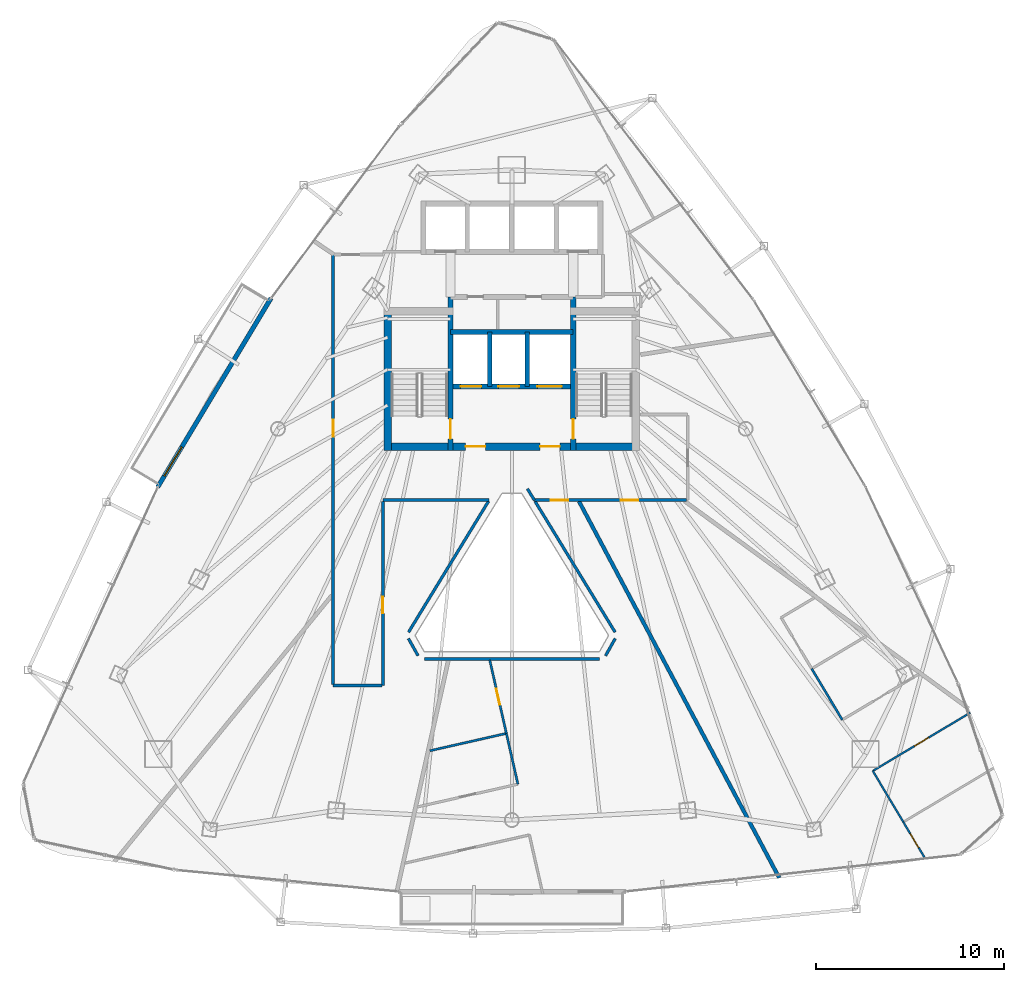
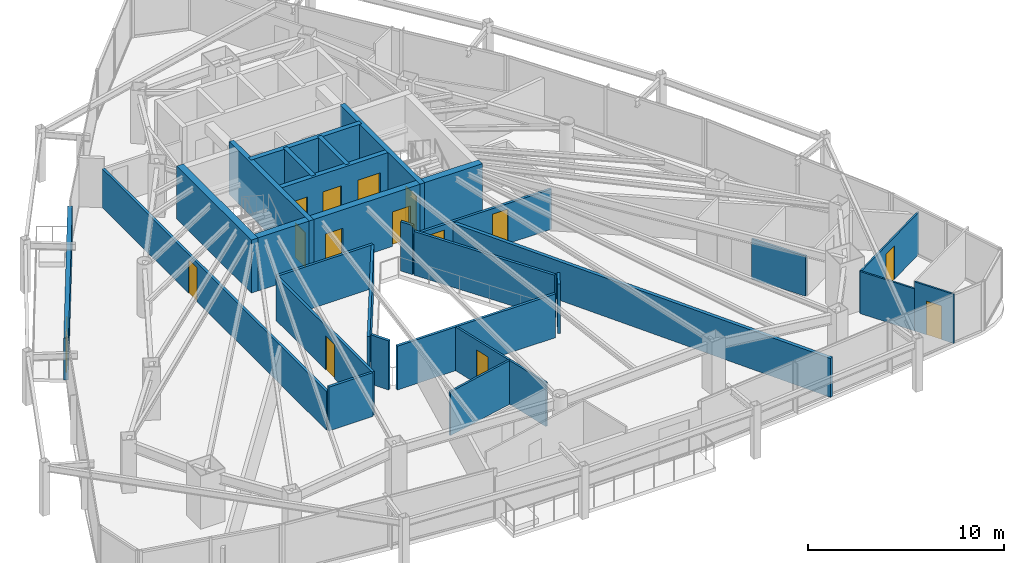
# One storey, part 28 of 33: 28 walls, 15 doors, 15 openings.
"""IFC4 building model written with IfcOpenShell, lengths in metres."""

from ifc_helpers import new_model, si_unit, direction, frame, frame_2d, origin, place, context, subcontext, project, spatial, rectangle, extrude, material, layer, layer_set, type_object, element, fill, save


model = new_model("IFC4")

# Units and contexts
model_context = context("Model", 3, precision=1e-05, world=origin(), true_north=direction((0.0, 1.0)))
body_context = subcontext(model_context, "Body", "Model", "MODEL_VIEW")
ifc_project = project(units=[si_unit("LENGTHUNIT", "METRE"), si_unit("AREAUNIT", "SQUARE_METRE"), si_unit("VOLUMEUNIT", "CUBIC_METRE"), si_unit("PLANEANGLEUNIT", "RADIAN"), si_unit("MASSUNIT", "GRAM", prefix="KILO")], contexts=[model_context])

# Site, building, storey
site_placement = place(None, origin())
site = spatial("IfcSite", under=ifc_project, at=site_placement, CompositionType="ELEMENT")
building_placement = place(site_placement, origin())
building = spatial("IfcBuilding", under=site, at=building_placement, Name="Orvanel Arch Residences", CompositionType="ELEMENT")
storey_placement = place(building_placement, frame((0.0, 0.0, 119.89990234375)))
storey = spatial("IfcBuildingStorey", under=building, at=storey_placement, Name="L33", CompositionType="ELEMENT", Elevation=119.89990234375)

# Wall, opening, door
ifc_material_1 = material(Name="Precast concrete N50 (50 MPa)", Category="concrete")
ifc_layer_1 = layer(ifc_material_1, 0.239990234375)
ifc_layer_set_1 = layer_set([ifc_layer_1], Name="Precast concrete N50 (50 MPa)")
wall_type_1 = type_object("IfcWallType", Name="EW-BAL-240", PredefinedType="SOLIDWALL", material=ifc_layer_set_1)
wall_1_placement = place(storey_placement, frame((20.199951171875, 34.5859375, 0.0), z_axis=(0.0, 0.0, 1.0), x_axis=(-0.514379309275, -0.857562782652, 0.0)))
wall_1 = element("IfcWall", 1, at=wall_1_placement, inside=storey, type_object=wall_type_1, Name="L33 Balcony Threshold Wall Face 1", PredefinedType="SOLIDWALL", context=body_context, shape_type="SweptSolid", body=[
    extrude(rectangle(XDim=11.716796875, YDim=0.239990234375, at=frame_2d((5.8583984375, 0.0))), origin(), (0.0, 0.0, 1.0), 2.6240234375),
])
opening_1_placement = place(wall_1_placement, frame((9.219970703125, 0.0, 0.0)))
opening_1 = element("IfcOpeningElement", 2, at=opening_1_placement, cuts=wall_1, Name="Opening DB-180", PredefinedType="OPENING", context=body_context, shape_type="SweptSolid", body=[
    extrude(rectangle(XDim=1.800048828125, YDim=2.199951171875, at=frame_2d((0.89990234375, 1.10009765625))), frame((0.0, 0.1298828125, 0.0), z_axis=(0.0, -1.0, 0.0), x_axis=(1.0, 0.0, 0.0)), (0.0, 0.0, 1.0), 0.260009765625),
])
ifc_material_2 = material(Name="Bronze-anodised aluminium AA6063-T6", Category="aluminium")
door_type_1 = type_object("IfcDoorType", Name="DR-BAL-1800", OperationType="NOTDEFINED", PredefinedType="DOOR", material=ifc_material_2)
door_1_placement = place(opening_1_placement, origin())
door_1 = element("IfcDoor", 3, at=door_1_placement, inside=storey, type_object=door_type_1, Name="DR-L33-BAL-F1 L33 Planted Balcony Access Door Face 1", OperationType="SINGLE_SWING_RIGHT", OverallHeight=2.199951171875, OverallWidth=1.800048828125, PredefinedType="DOOR", context=body_context, shape_type="SweptSolid", body=[
    extrude(rectangle(XDim=1.800048828125, YDim=2.199951171875, at=frame_2d((0.89990234375, 1.10009765625))), frame((0.0, 0.02490234375, 0.0), z_axis=(0.0, -1.0, 0.0), x_axis=(1.0, 0.0, 0.0)), (0.0, 0.0, 1.0), 0.050048828125),
])
fill(opening_1, door_1)

# Walls
ifc_material_3 = material(Name="Concrete N50 (50 MPa)", Category="concrete")
ifc_layer_2 = layer(ifc_material_3, 0.25)
ifc_layer_set_2 = layer_set([ifc_layer_2], Name="Concrete N50 (50 MPa)")
wall_type_2 = type_object("IfcWallType", Name="SW-CORE-250", PredefinedType="SHEAR", material=ifc_layer_set_2)
for number, where, z_axis, x_axis, name in (
    (4, (31.824951171875, 29.889892578125, 0.0), (0.0, 0.0, 1.0), (0.0, 1.0, 0.0), "L33 Emergency Lift Inter-Shaft Wall F12"),
    (5, (33.824951171875, 29.889892578125, 0.0), (0.0, 0.0, 1.0), (0.0, 1.0, 0.0), "L33 Emergency Lift Inter-Shaft Wall F2G"),
):
    element("IfcWall", number, at=place(storey_placement, frame(where, z_axis=z_axis, x_axis=x_axis)), inside=storey, type_object=wall_type_2, Name=name, PredefinedType="SHEAR", context=body_context, shape_type="SweptSolid", body=[
        extrude(rectangle(XDim=2.900146484375, YDim=0.25, at=frame_2d((1.4501953125, 0.0))), origin(), (0.0, 0.0, 1.0), 3.300048828125),
    ])

# Wall, opening, door
ifc_material_4 = material(Name="Concrete S65 (65 MPa)", Category="concrete")
ifc_layer_3 = layer(ifc_material_4, 0.280029296875)
ifc_layer_set_3 = layer_set([ifc_layer_3], Name="Concrete S65 (65 MPa)")
wall_type_3 = type_object("IfcWallType", Name="SW-CORE-280", PredefinedType="SHEAR", material=ifc_layer_set_3)
wall_2_placement = place(storey_placement, frame((29.739990234375, 26.5, 0.0), z_axis=(0.0, 0.0, 1.0), x_axis=(0.0, 1.0, 0.0)))
wall_2 = element("IfcWall", 6, at=wall_2_placement, inside=storey, type_object=wall_type_3, Name="L33 West Inner Core Spine Shear Wall", PredefinedType="SHEAR", context=body_context, shape_type="SweptSolid", body=[
    extrude(rectangle(XDim=8.14990234375, YDim=0.280029296875, at=frame_2d((4.074951171875, 0.0))), origin(), (0.0, 0.0, 1.0), 3.300048828125),
])
opening_2_placement = place(wall_2_placement, frame((0.60009765625, 0.0, 0.0)))
opening_2 = element("IfcOpeningElement", 7, at=opening_2_placement, cuts=wall_2, Name="Opening DF-120", PredefinedType="OPENING", context=body_context, shape_type="SweptSolid", body=[
    extrude(rectangle(XDim=1.050048828125, YDim=2.14990234375, at=frame_2d((0.52490234375, 1.074951171875))), frame((0.0, 0.14990234375, 0.0), z_axis=(0.0, -1.0, 0.0), x_axis=(1.0, 0.0, 0.0)), (0.0, 0.0, 1.0), 0.300048828125),
])
ifc_material_5 = material(Name="Galvanised steel fire-resisting door assembly", Category="steel")
door_type_2 = type_object("IfcDoorType", Name="DR-FD120-1050", OperationType="NOTDEFINED", PredefinedType="DOOR", material=ifc_material_5)
door_2_placement = place(opening_2_placement, origin())
door_2 = element("IfcDoor", 8, at=door_2_placement, inside=storey, type_object=door_type_2, Name="DR-L33-ST1 L33 Stair 1 Fire Door", OperationType="SINGLE_SWING_LEFT", OverallHeight=2.14990234375, OverallWidth=1.050048828125, PredefinedType="DOOR", context=body_context, shape_type="SweptSolid", body=[
    extrude(rectangle(XDim=1.050048828125, YDim=2.14990234375, at=frame_2d((0.52490234375, 1.074951171875))), frame((0.0, 0.02490234375, 0.0), z_axis=(0.0, -1.0, 0.0), x_axis=(1.0, 0.0, 0.0)), (0.0, 0.0, 1.0), 0.050048828125),
])
fill(opening_2, door_2)

wall_3_placement = place(storey_placement, frame((36.260009765625, 26.5, 0.0), z_axis=(0.0, 0.0, 1.0), x_axis=(0.0, 1.0, 0.0)))
wall_3 = element("IfcWall", 9, at=wall_3_placement, inside=storey, type_object=wall_type_3, Name="L33 East Inner Core Spine Shear Wall", PredefinedType="SHEAR", context=body_context, shape_type="SweptSolid", body=[
    extrude(rectangle(XDim=8.14990234375, YDim=0.280029296875, at=frame_2d((4.074951171875, 0.0))), origin(), (0.0, 0.0, 1.0), 3.300048828125),
])
opening_3_placement = place(wall_3_placement, frame((0.60009765625, 0.0, 0.0)))
opening_3 = element("IfcOpeningElement", 10, at=opening_3_placement, cuts=wall_3, Name="Opening DF-120", PredefinedType="OPENING", context=body_context, shape_type="SweptSolid", body=[
    extrude(rectangle(XDim=1.050048828125, YDim=2.14990234375, at=frame_2d((0.52490234375, 1.074951171875))), frame((0.0, 0.14990234375, 0.0), z_axis=(0.0, -1.0, 0.0), x_axis=(1.0, 0.0, 0.0)), (0.0, 0.0, 1.0), 0.300048828125),
])
door_3_placement = place(opening_3_placement, origin())
door_3 = element("IfcDoor", 11, at=door_3_placement, inside=storey, type_object=door_type_2, Name="DR-L33-ST2 L33 Stair 2 Fire Door", OperationType="SINGLE_SWING_RIGHT", OverallHeight=2.14990234375, OverallWidth=1.050048828125, PredefinedType="DOOR", context=body_context, shape_type="SweptSolid", body=[
    extrude(rectangle(XDim=1.050048828125, YDim=2.14990234375, at=frame_2d((0.52490234375, 1.074951171875))), frame((0.0, 0.02490234375, 0.0), z_axis=(0.0, -1.0, 0.0), x_axis=(1.0, 0.0, 0.0)), (0.0, 0.0, 1.0), 0.050048828125),
])
fill(opening_3, door_3)

# Wall, openings, doors
wall_4_placement = place(storey_placement, frame((36.260009765625, 29.889892578125, 0.0), z_axis=(0.0, 0.0, 1.0), x_axis=(-1.0, 0.0, 0.0)))
wall_4 = element("IfcWall", 12, at=wall_4_placement, inside=storey, type_object=wall_type_3, Name="L33 Emergency Lift Front Core Shear Wall", PredefinedType="SHEAR", context=body_context, shape_type="SweptSolid", body=[
    extrude(rectangle(XDim=6.52001953125, YDim=0.280029296875, at=frame_2d((3.260009765625, 0.0))), origin(), (0.0, 0.0, 1.0), 3.300048828125),
])
opening_4_placement = place(wall_4_placement, frame((4.875, 0.0, 0.0)))
opening_4 = element("IfcOpeningElement", 13, at=opening_4_placement, cuts=wall_4, Name="Opening LD-110", PredefinedType="OPENING", context=body_context, shape_type="SweptSolid", body=[
    extrude(rectangle(XDim=1.10009765625, YDim=2.199951171875, at=frame_2d((0.550048828125, 1.10009765625))), frame((0.0, 0.14990234375, 0.0), z_axis=(0.0, -1.0, 0.0), x_axis=(1.0, 0.0, 0.0)), (0.0, 0.0, 1.0), 0.300048828125),
])
opening_5_placement = place(wall_4_placement, frame((2.875, 0.0, 0.0)))
opening_5 = element("IfcOpeningElement", 14, at=opening_5_placement, cuts=wall_4, Name="Opening LD-110", PredefinedType="OPENING", context=body_context, shape_type="SweptSolid", body=[
    extrude(rectangle(XDim=1.10009765625, YDim=2.199951171875, at=frame_2d((0.550048828125, 1.10009765625))), frame((0.0, 0.14990234375, 0.0), z_axis=(0.0, -1.0, 0.0), x_axis=(1.0, 0.0, 0.0)), (0.0, 0.0, 1.0), 0.300048828125),
])
opening_6_placement = place(wall_4_placement, frame((0.60009765625, 0.0, 0.0)))
opening_6 = element("IfcOpeningElement", 15, at=opening_6_placement, cuts=wall_4, Name="Opening LD-130", PredefinedType="OPENING", context=body_context, shape_type="SweptSolid", body=[
    extrude(rectangle(XDim=1.300048828125, YDim=2.199951171875, at=frame_2d((0.64990234375, 1.10009765625))), frame((0.0, 0.14990234375, 0.0), z_axis=(0.0, -1.0, 0.0), x_axis=(1.0, 0.0, 0.0)), (0.0, 0.0, 1.0), 0.300048828125),
])
door_type_3 = type_object("IfcDoorType", Name="DR-LFT-1100", OperationType="NOTDEFINED", PredefinedType="DOOR", material=ifc_material_5)
door_4_placement = place(opening_4_placement, origin())
door_4 = element("IfcDoor", 16, at=door_4_placement, inside=storey, type_object=door_type_3, Name="LD-F1-L33 L33 Lift F1 Sliding Landing Door", OperationType="DOUBLE_DOOR_SLIDING", OverallHeight=2.199951171875, OverallWidth=1.10009765625, PredefinedType="DOOR", context=body_context, shape_type="SweptSolid", body=[
    extrude(rectangle(XDim=1.10009765625, YDim=2.199951171875, at=frame_2d((0.550048828125, 1.10009765625))), frame((0.0, 0.02490234375, 0.0), z_axis=(0.0, -1.0, 0.0), x_axis=(1.0, 0.0, 0.0)), (0.0, 0.0, 1.0), 0.050048828125),
])
fill(opening_4, door_4)
door_5_placement = place(opening_5_placement, origin())
door_5 = element("IfcDoor", 17, at=door_5_placement, inside=storey, type_object=door_type_3, Name="LD-F2-L33 L33 Lift F2 Sliding Landing Door", OperationType="DOUBLE_DOOR_SLIDING", OverallHeight=2.199951171875, OverallWidth=1.10009765625, PredefinedType="DOOR", context=body_context, shape_type="SweptSolid", body=[
    extrude(rectangle(XDim=1.10009765625, YDim=2.199951171875, at=frame_2d((0.550048828125, 1.10009765625))), frame((0.0, 0.02490234375, 0.0), z_axis=(0.0, -1.0, 0.0), x_axis=(1.0, 0.0, 0.0)), (0.0, 0.0, 1.0), 0.050048828125),
])
fill(opening_5, door_5)
door_type_4 = type_object("IfcDoorType", Name="DR-LFT-1300", OperationType="NOTDEFINED", PredefinedType="DOOR", material=ifc_material_5)
door_6_placement = place(opening_6_placement, origin())
door_6 = element("IfcDoor", 18, at=door_6_placement, inside=storey, type_object=door_type_4, Name="LD-G1-L33 L33 Lift G1 Sliding Landing Door", OperationType="DOUBLE_DOOR_SLIDING", OverallHeight=2.199951171875, OverallWidth=1.300048828125, PredefinedType="DOOR", context=body_context, shape_type="SweptSolid", body=[
    extrude(rectangle(XDim=1.300048828125, YDim=2.199951171875, at=frame_2d((0.64990234375, 1.10009765625))), frame((0.0, 0.02490234375, 0.0), z_axis=(0.0, -1.0, 0.0), x_axis=(1.0, 0.0, 0.0)), (0.0, 0.0, 1.0), 0.050048828125),
])
fill(opening_6, door_6)

# Wall
wall_5_placement = place(storey_placement, frame((29.739990234375, 32.7900390625, 0.0), z_axis=(0.0, 0.0, 1.0), x_axis=(1.0, 0.0, 0.0)))
element("IfcWall", 19, at=wall_5_placement, inside=storey, type_object=wall_type_3, Name="L33 Emergency Lift Back Core Shear Wall", PredefinedType="SHEAR", context=body_context, shape_type="SweptSolid", body=[
    extrude(rectangle(XDim=6.52001953125, YDim=0.280029296875, at=frame_2d((3.260009765625, 0.0))), origin(), (0.0, 0.0, 1.0), 3.300048828125),
])

# Wall, openings, doors
ifc_layer_4 = layer(ifc_material_4, 0.39990234375)
ifc_layer_set_4 = layer_set([ifc_layer_4], Name="Concrete S65 (65 MPa)")
wall_type_4 = type_object("IfcWallType", Name="SW-CORE-400", PredefinedType="SHEAR", material=ifc_layer_set_4)
wall_6_placement = place(storey_placement, frame((26.199951171875, 26.699951171875, 0.0), z_axis=(0.0, 0.0, 1.0), x_axis=(1.0, 0.0, 0.0)))
wall_6 = element("IfcWall", 20, at=wall_6_placement, inside=storey, type_object=wall_type_4, Name="L33 South Core Shear Wall", PredefinedType="SHEAR", context=body_context, shape_type="SweptSolid", body=[
    extrude(rectangle(XDim=13.60009765625, YDim=0.39990234375, at=frame_2d((6.800048828125, 0.0))), origin(), (0.0, 0.0, 1.0), 3.300048828125),
])
opening_7_placement = place(wall_6_placement, frame((4.35009765625, 0.0, 0.0)))
opening_7 = element("IfcOpeningElement", 21, at=opening_7_placement, cuts=wall_6, Name="Opening DF-060", PredefinedType="OPENING", context=body_context, shape_type="SweptSolid", body=[
    extrude(rectangle(XDim=1.050048828125, YDim=2.14990234375, at=frame_2d((0.52490234375, 1.074951171875))), frame((0.0, 0.2099609375, 0.0), z_axis=(0.0, -1.0, 0.0), x_axis=(1.0, 0.0, 0.0)), (0.0, 0.0, 1.0), 0.419921875),
])
opening_8_placement = place(wall_6_placement, frame((8.300048828125, 0.0, 0.0)))
opening_8 = element("IfcOpeningElement", 22, at=opening_8_placement, cuts=wall_6, Name="Opening DF-060", PredefinedType="OPENING", context=body_context, shape_type="SweptSolid", body=[
    extrude(rectangle(XDim=1.050048828125, YDim=2.14990234375, at=frame_2d((0.52490234375, 1.074951171875))), frame((0.0, 0.2099609375, 0.0), z_axis=(0.0, -1.0, 0.0), x_axis=(1.0, 0.0, 0.0)), (0.0, 0.0, 1.0), 0.419921875),
])
door_type_5 = type_object("IfcDoorType", Name="DR-FD60-1050", OperationType="NOTDEFINED", PredefinedType="DOOR", material=ifc_material_5)
door_7_placement = place(opening_7_placement, origin())
door_7 = element("IfcDoor", 23, at=door_7_placement, inside=storey, type_object=door_type_5, Name="DR-L33-FFL-W L33 West Smoke Lobby Door", OperationType="SINGLE_SWING_LEFT", OverallHeight=2.14990234375, OverallWidth=1.050048828125, PredefinedType="DOOR", context=body_context, shape_type="SweptSolid", body=[
    extrude(rectangle(XDim=1.050048828125, YDim=2.14990234375, at=frame_2d((0.52490234375, 1.074951171875))), frame((0.0, 0.02490234375, 0.0), z_axis=(0.0, -1.0, 0.0), x_axis=(1.0, 0.0, 0.0)), (0.0, 0.0, 1.0), 0.050048828125),
])
fill(opening_7, door_7)
door_8_placement = place(opening_8_placement, origin())
door_8 = element("IfcDoor", 24, at=door_8_placement, inside=storey, type_object=door_type_5, Name="DR-L33-FFL-E L33 East Smoke Lobby Door", OperationType="SINGLE_SWING_RIGHT", OverallHeight=2.14990234375, OverallWidth=1.050048828125, PredefinedType="DOOR", context=body_context, shape_type="SweptSolid", body=[
    extrude(rectangle(XDim=1.050048828125, YDim=2.14990234375, at=frame_2d((0.52490234375, 1.074951171875))), frame((0.0, 0.02490234375, 0.0), z_axis=(0.0, -1.0, 0.0), x_axis=(1.0, 0.0, 0.0)), (0.0, 0.0, 1.0), 0.050048828125),
])
fill(opening_8, door_8)

# Walls
wall_7_placement = place(storey_placement, frame((26.39990234375, 26.5, 0.0), z_axis=(0.0, 0.0, 1.0), x_axis=(0.0, 1.0, 0.0)))
element("IfcWall", 25, at=wall_7_placement, inside=storey, type_object=wall_type_4, Name="L33 West Stair Shear Wall", PredefinedType="SHEAR", context=body_context, shape_type="SweptSolid", body=[
    extrude(rectangle(XDim=7.60009765625, YDim=0.39990234375, at=frame_2d((3.800048828125, 0.0))), origin(), (0.0, 0.0, 1.0), 3.300048828125),
])
ifc_material_6 = material(Name="Fire-rated plasterboard lined steel stud partition", Category="steel")
ifc_layer_5 = layer(ifc_material_6, 0.14990234375)
ifc_layer_set_5 = layer_set([ifc_layer_5], Name="Fire-rated plasterboard lined steel stud partition")
wall_type_5 = type_object("IfcWallType", Name="W-COR-150", PredefinedType="PARTITIONING", material=ifc_layer_set_5)
wall_8_placement = place(storey_placement, frame((31.798095703125, 23.85009765625, 0.0), z_axis=(0.0, 0.0, 1.0), x_axis=(-1.0, 0.0, 0.0)))
element("IfcWall", 26, at=wall_8_placement, inside=storey, type_object=wall_type_5, Name="L33 Corridor Fire-Rated Partition", PredefinedType="PARTITIONING", context=body_context, shape_type="SweptSolid", body=[
    extrude(rectangle(XDim=5.648193359375, YDim=0.14990234375, at=frame_2d((2.82421875, 0.0))), origin(), (0.0, 0.0, 1.0), 2.72119140625),
])

# Wall, opening, door
wall_9_placement = place(storey_placement, frame((26.14990234375, 23.7900390625, 0.0), z_axis=(0.0, 0.0, 1.0), x_axis=(0.0, -1.0, 0.0)))
wall_9 = element("IfcWall", 27, at=wall_9_placement, inside=storey, type_object=wall_type_5, Name="L33 Corridor Fire-Rated Partition", PredefinedType="PARTITIONING", context=body_context, shape_type="SweptSolid", body=[
    extrude(rectangle(XDim=9.7900390625, YDim=0.14990234375, at=frame_2d((4.89501953125, 0.0))), origin(), (0.0, 0.0, 1.0), 2.72119140625),
])
opening_9_placement = place(wall_9_placement, frame((5.080078125, 0.0, 0.0)))
opening_9 = element("IfcOpeningElement", 28, at=opening_9_placement, cuts=wall_9, Name="Opening DI-088", PredefinedType="OPENING", context=body_context, shape_type="SweptSolid", body=[
    extrude(rectangle(XDim=0.8798828125, YDim=2.10009765625, at=frame_2d((0.43994140625, 1.050048828125))), frame((0.0, 0.0849609375, 0.0), z_axis=(0.0, -1.0, 0.0), x_axis=(1.0, 0.0, 0.0)), (0.0, 0.0, 1.0), 0.169921875),
])
ifc_material_7 = material(Name="Solid-core European oak veneer fire door leaf", Category="wood")
door_type_6 = type_object("IfcDoorType", Name="DR-INT-880", OperationType="NOTDEFINED", PredefinedType="DOOR", material=ifc_material_7)
door_9_placement = place(opening_9_placement, origin())
door_9 = element("IfcDoor", 29, at=door_9_placement, inside=storey, type_object=door_type_6, Name="DR-L33-SHRD-FB4 L33 Co-Working Study Office D Door", OperationType="SINGLE_SWING_LEFT", OverallHeight=2.10009765625, OverallWidth=0.8798828125, PredefinedType="DOOR", context=body_context, shape_type="SweptSolid", body=[
    extrude(rectangle(XDim=0.8798828125, YDim=2.10009765625, at=frame_2d((0.43994140625, 1.050048828125))), frame((0.0, 0.02490234375, 0.0), z_axis=(0.0, -1.0, 0.0), x_axis=(1.0, 0.0, 0.0)), (0.0, 0.0, 1.0), 0.050048828125),
])
fill(opening_9, door_9)

# Wall
wall_10_placement = place(storey_placement, frame((26.090087890625, 14.0, 0.0), z_axis=(0.0, 0.0, 1.0), x_axis=(-1.0, 0.0, 0.0)))
element("IfcWall", 30, at=wall_10_placement, inside=storey, type_object=wall_type_5, Name="L33 Corridor Fire-Rated Partition", PredefinedType="PARTITIONING", context=body_context, shape_type="SweptSolid", body=[
    extrude(rectangle(XDim=2.590087890625, YDim=0.14990234375, at=frame_2d((1.294921875, 0.0))), origin(), (0.0, 0.0, 1.0), 2.72119140625),
])

# Wall, opening, door
wall_11_placement = place(storey_placement, frame((23.5, 14.06005859375, 0.0), z_axis=(0.0, 0.0, 1.0), x_axis=(0.0, 1.0, 0.0)))
wall_11 = element("IfcWall", 31, at=wall_11_placement, inside=storey, type_object=wall_type_5, Name="L33 Corridor Fire-Rated Partition", PredefinedType="PARTITIONING", context=body_context, shape_type="SweptSolid", body=[
    extrude(rectangle(XDim=22.83984375, YDim=0.14990234375, at=frame_2d((11.419921875, 0.0))), origin(), (0.0, 0.0, 1.0), 2.4130859375),
])
opening_10_placement = place(wall_11_placement, frame((13.169921875, 0.0, 0.0)))
opening_10 = element("IfcOpeningElement", 32, at=opening_10_placement, cuts=wall_11, Name="Opening DI-088", PredefinedType="OPENING", context=body_context, shape_type="SweptSolid", body=[
    extrude(rectangle(XDim=0.8798828125, YDim=2.10009765625, at=frame_2d((0.43994140625, 1.050048828125))), frame((0.0, 0.0849609375, 0.0), z_axis=(0.0, -1.0, 0.0), x_axis=(1.0, 0.0, 0.0)), (0.0, 0.0, 1.0), 0.169921875),
])
door_10_placement = place(opening_10_placement, origin())
door_10 = element("IfcDoor", 33, at=door_10_placement, inside=storey, type_object=door_type_6, Name="DR-L33-SHRD-FB1 L33 Co-Working Study Office A Door", OperationType="SINGLE_SWING_LEFT", OverallHeight=2.10009765625, OverallWidth=0.8798828125, PredefinedType="DOOR", context=body_context, shape_type="SweptSolid", body=[
    extrude(rectangle(XDim=0.8798828125, YDim=2.10009765625, at=frame_2d((0.43994140625, 1.050048828125))), frame((0.0, 0.02490234375, 0.0), z_axis=(0.0, -1.0, 0.0), x_axis=(1.0, 0.0, 0.0)), (0.0, 0.0, 1.0), 0.050048828125),
])
fill(opening_10, door_10)

# Wall, openings, doors
wall_12_placement = place(storey_placement, frame((42.2900390625, 23.85009765625, 0.0), z_axis=(0.0, 0.0, 1.0), x_axis=(-1.0, 0.0, 0.0)))
wall_12 = element("IfcWall", 34, at=wall_12_placement, inside=storey, type_object=wall_type_5, Name="L33 Corridor Fire-Rated Partition", PredefinedType="PARTITIONING", context=body_context, shape_type="SweptSolid", body=[
    extrude(rectangle(XDim=8.088134765625, YDim=0.14990234375, at=frame_2d((4.0439453125, 0.0))), origin(), (0.0, 0.0, 1.0), 2.4921875),
])
opening_11_placement = place(wall_12_placement, frame((2.56689453125, 0.0, 0.0)))
opening_11 = element("IfcOpeningElement", 35, at=opening_11_placement, cuts=wall_12, Name="Opening DA-092", PredefinedType="OPENING", context=body_context, shape_type="SweptSolid", body=[
    extrude(rectangle(XDim=0.919921875, YDim=2.14990234375, at=frame_2d((0.4599609375, 1.074951171875))), frame((0.0, 0.0849609375, 0.0), z_axis=(0.0, -1.0, 0.0), x_axis=(1.0, 0.0, 0.0)), (0.0, 0.0, 1.0), 0.169921875),
])
opening_12_placement = place(wall_12_placement, frame((6.2958984375, 0.0, 0.0)))
opening_12 = element("IfcOpeningElement", 36, at=opening_12_placement, cuts=wall_12, Name="Opening DA-092", PredefinedType="OPENING", context=body_context, shape_type="SweptSolid", body=[
    extrude(rectangle(XDim=0.919921875, YDim=2.14990234375, at=frame_2d((0.4599609375, 1.074951171875))), frame((0.0, 0.0849609375, 0.0), z_axis=(0.0, -1.0, 0.0), x_axis=(1.0, 0.0, 0.0)), (0.0, 0.0, 1.0), 0.169921875),
])
door_type_7 = type_object("IfcDoorType", Name="DR-APT-920", OperationType="NOTDEFINED", PredefinedType="DOOR", material=ifc_material_7)
door_11_placement = place(opening_11_placement, origin())
door_11 = element("IfcDoor", 37, at=door_11_placement, inside=storey, type_object=door_type_7, Name="DR-L33-B-ENT L33 Flat B Entrance Door", OperationType="SINGLE_SWING_LEFT", OverallHeight=2.14990234375, OverallWidth=0.919921875, PredefinedType="DOOR", context=body_context, shape_type="SweptSolid", body=[
    extrude(rectangle(XDim=0.919921875, YDim=2.14990234375, at=frame_2d((0.4599609375, 1.074951171875))), frame((0.0, 0.02490234375, 0.0), z_axis=(0.0, -1.0, 0.0), x_axis=(1.0, 0.0, 0.0)), (0.0, 0.0, 1.0), 0.050048828125),
])
fill(opening_11, door_11)
door_12_placement = place(opening_12_placement, origin())
door_12 = element("IfcDoor", 38, at=door_12_placement, inside=storey, type_object=door_type_7, Name="DR-L33-C-ENT L33 Studio C Entrance Door", OperationType="SINGLE_SWING_RIGHT", OverallHeight=2.14990234375, OverallWidth=0.919921875, PredefinedType="DOOR", context=body_context, shape_type="SweptSolid", body=[
    extrude(rectangle(XDim=0.919921875, YDim=2.14990234375, at=frame_2d((0.4599609375, 1.074951171875))), frame((0.0, 0.02490234375, 0.0), z_axis=(0.0, -1.0, 0.0), x_axis=(1.0, 0.0, 0.0)), (0.0, 0.0, 1.0), 0.050048828125),
])
fill(opening_12, door_12)

# Walls
wall_13_placement = place(storey_placement, frame((34.201904296875, 23.85009765625, 0.0), z_axis=(0.0, 0.0, 1.0), x_axis=(-0.527226500772, 0.849724788907, 0.0)))
element("IfcWall", 39, at=wall_13_placement, inside=storey, type_object=wall_type_5, Name="L33 Corridor Fire-Rated Partition", PredefinedType="PARTITIONING", context=body_context, shape_type="SweptSolid", body=[
    extrude(rectangle(XDim=0.713134765625, YDim=0.14990234375, at=frame_2d((0.3564453125, 0.0))), origin(), (0.0, 0.0, 1.0), 3.06005859375),
])
wall_14_placement = place(storey_placement, frame((34.23291015625, 23.7900390625, 0.0), z_axis=(0.0, 0.0, 1.0), x_axis=(0.521893040745, -0.853010934292, 0.0)))
element("IfcWall", 40, at=wall_14_placement, inside=storey, type_object=wall_type_5, Name="L33 Atrium Overlook Glazed Partition", PredefinedType="PARTITIONING", context=body_context, shape_type="SweptSolid", body=[
    extrude(rectangle(XDim=8.156982421875, YDim=0.14990234375, at=frame_2d((4.07861328125, 0.0))), origin(), (0.0, 0.0, 1.0), 2.72119140625),
])
wall_15_placement = place(storey_placement, frame((38.4970703125, 16.49609375, 0.0), z_axis=(0.0, 0.0, 1.0), x_axis=(-0.489281087794, -0.872126147485, 0.0)))
element("IfcWall", 41, at=wall_15_placement, inside=storey, type_object=wall_type_5, Name="L33 Atrium Overlook Glazed Partition", PredefinedType="PARTITIONING", context=body_context, shape_type="SweptSolid", body=[
    extrude(rectangle(XDim=1.052734375, YDim=0.14990234375, at=frame_2d((0.5263671875, 0.0))), origin(), (0.0, 0.0, 1.0), 3.06005859375),
])
wall_16_placement = place(storey_placement, frame((37.654052734375, 15.406005859375, 0.0), z_axis=(0.0, 0.0, 1.0), x_axis=(-1.0, 0.0, 0.0)))
element("IfcWall", 42, at=wall_16_placement, inside=storey, type_object=wall_type_5, Name="L33 Atrium Overlook Glazed Partition", PredefinedType="PARTITIONING", context=body_context, shape_type="SweptSolid", body=[
    extrude(rectangle(XDim=9.30810546875, YDim=0.14990234375, at=frame_2d((4.654052734375, 0.0))), origin(), (0.0, 0.0, 1.0), 2.72119140625),
])
wall_17_placement = place(storey_placement, frame((28.01806640625, 15.577880859375, 0.0), z_axis=(0.0, 0.0, 1.0), x_axis=(-0.489281087794, 0.872126147485, 0.0)))
element("IfcWall", 43, at=wall_17_placement, inside=storey, type_object=wall_type_5, Name="L33 Atrium Overlook Glazed Partition", PredefinedType="PARTITIONING", context=body_context, shape_type="SweptSolid", body=[
    extrude(rectangle(XDim=1.052734375, YDim=0.14990234375, at=frame_2d((0.5263671875, 0.0))), origin(), (0.0, 0.0, 1.0), 3.06005859375),
])
wall_18_placement = place(storey_placement, frame((27.510009765625, 16.83203125, 0.0), z_axis=(0.0, 0.0, 1.0), x_axis=(0.521348270591, 0.853343999072, 0.0)))
element("IfcWall", 44, at=wall_18_placement, inside=storey, type_object=wall_type_5, Name="L33 Atrium Overlook Glazed Partition", PredefinedType="PARTITIONING", context=body_context, shape_type="SweptSolid", body=[
    extrude(rectangle(XDim=8.15380859375, YDim=0.14990234375, at=frame_2d((4.076904296875, 0.0))), origin(), (0.0, 0.0, 1.0), 2.72119140625),
])
ifc_layer_6 = layer(ifc_material_6, 0.199951171875)
ifc_layer_set_6 = layer_set([ifc_layer_6], Name="Fire-rated plasterboard lined steel stud partition")
wall_type_6 = type_object("IfcWallType", Name="W-DEM-200", PredefinedType="PARTITIONING", material=ifc_layer_set_6)
wall_19_placement = place(storey_placement, frame((47.214111328125, 3.77490234375, 0.0), z_axis=(0.0, 0.0, 1.0), x_axis=(-0.469567249912, 0.88289670846, 0.0)))
element("IfcWall", 45, at=wall_19_placement, inside=storey, type_object=wall_type_6, Name="L33 Inter-Tenancy Acoustic Demising Wall", PredefinedType="PARTITIONING", context=body_context, shape_type="SweptSolid", body=[
    extrude(rectangle(XDim=22.669921875, YDim=0.199951171875, at=frame_2d((11.3349609375, 0.0))), origin(), (0.0, 0.0, 1.0), 2.4130859375),
])

# Wall, opening, door
ifc_material_8 = material(Name="Acoustic plasterboard lined twin-stud partition", Category="gypsum")
ifc_layer_7 = layer(ifc_material_8, 0.10009765625)
ifc_layer_set_7 = layer_set([ifc_layer_7], Name="Acoustic plasterboard lined twin-stud partition")
wall_type_7 = type_object("IfcWallType", Name="W-INT-100", PredefinedType="PARTITIONING", material=ifc_layer_set_7)
wall_20_placement = place(storey_placement, frame((57.373046875, 12.553955078125, 0.0), z_axis=(0.0, 0.0, 1.0), x_axis=(-0.858379637305, -0.513015007831, 0.0)))
wall_20 = element("IfcWall", 46, at=wall_20_placement, inside=storey, type_object=wall_type_7, Name="L33 Flat B Internal Partition", PredefinedType="PARTITIONING", context=body_context, shape_type="SweptSolid", body=[
    extrude(rectangle(XDim=6.04052734375, YDim=0.10009765625, at=frame_2d((3.020263671875, 0.0))), origin(), (0.0, 0.0, 1.0), 2.619140625),
])
opening_13_placement = place(wall_20_placement, frame((2.580078125, 0.0, 0.0)))
opening_13 = element("IfcOpeningElement", 47, at=opening_13_placement, cuts=wall_20, Name="Opening DI-088", PredefinedType="OPENING", context=body_context, shape_type="SweptSolid", body=[
    extrude(rectangle(XDim=0.8798828125, YDim=2.10009765625, at=frame_2d((0.43994140625, 1.050048828125))), frame((0.0, 0.06005859375, 0.0), z_axis=(0.0, -1.0, 0.0), x_axis=(1.0, 0.0, 0.0)), (0.0, 0.0, 1.0), 0.1201171875),
])
door_13_placement = place(opening_13_placement, origin())
door_13 = element("IfcDoor", 48, at=door_13_placement, inside=storey, type_object=door_type_6, Name="DR-L33-B-BED1 L33 Flat B Bedroom 1 Door", OperationType="SINGLE_SWING_LEFT", OverallHeight=2.10009765625, OverallWidth=0.8798828125, PredefinedType="DOOR", context=body_context, shape_type="SweptSolid", body=[
    extrude(rectangle(XDim=0.8798828125, YDim=2.10009765625, at=frame_2d((0.43994140625, 1.050048828125))), frame((0.0, 0.02490234375, 0.0), z_axis=(0.0, -1.0, 0.0), x_axis=(1.0, 0.0, 0.0)), (0.0, 0.0, 1.0), 0.050048828125),
])
fill(opening_13, door_13)

# Wall
wall_21_placement = place(storey_placement, frame((52.18798828125, 9.455078125, 0.0), z_axis=(0.0, 0.0, 1.0), x_axis=(0.512963071382, -0.858410675259, 0.0)))
element("IfcWall", 49, at=wall_21_placement, inside=storey, type_object=wall_type_7, Name="L33 Flat B Internal Partition", PredefinedType="PARTITIONING", context=body_context, shape_type="SweptSolid", body=[
    extrude(rectangle(XDim=3.1640625, YDim=0.10009765625, at=frame_2d((1.58203125, 0.0))), origin(), (0.0, 0.0, 1.0), 2.619140625),
])

# Wall, opening, door
wall_22_placement = place(storey_placement, frame((53.81103515625, 6.739013671875, 0.0), z_axis=(0.0, 0.0, 1.0), x_axis=(0.512795384263, -0.858510858335, 0.0)))
wall_22 = element("IfcWall", 50, at=wall_22_placement, inside=storey, type_object=wall_type_7, Name="L33 Flat B Internal Partition", PredefinedType="PARTITIONING", context=body_context, shape_type="SweptSolid", body=[
    extrude(rectangle(XDim=2.302978515625, YDim=0.10009765625, at=frame_2d((1.1513671875, 0.0))), origin(), (0.0, 0.0, 1.0), 3.06005859375),
])
opening_14_placement = place(wall_22_placement, frame((0.7109375, 0.0, 0.0)))
opening_14 = element("IfcOpeningElement", 51, at=opening_14_placement, cuts=wall_22, Name="Opening DI-088", PredefinedType="OPENING", context=body_context, shape_type="SweptSolid", body=[
    extrude(rectangle(XDim=0.8798828125, YDim=2.10009765625, at=frame_2d((0.43994140625, 1.050048828125))), frame((0.0, 0.06005859375, 0.0), z_axis=(0.0, -1.0, 0.0), x_axis=(1.0, 0.0, 0.0)), (0.0, 0.0, 1.0), 0.1201171875),
])
door_14_placement = place(opening_14_placement, origin())
door_14 = element("IfcDoor", 52, at=door_14_placement, inside=storey, type_object=door_type_6, Name="DR-L33-B-OFC2 L33 Flat B Home Work Office 1 Door", OperationType="SINGLE_SWING_LEFT", OverallHeight=2.10009765625, OverallWidth=0.8798828125, PredefinedType="DOOR", context=body_context, shape_type="SweptSolid", body=[
    extrude(rectangle(XDim=0.8798828125, YDim=2.10009765625, at=frame_2d((0.43994140625, 1.050048828125))), frame((0.0, 0.02490234375, 0.0), z_axis=(0.0, -1.0, 0.0), x_axis=(1.0, 0.0, 0.0)), (0.0, 0.0, 1.0), 0.050048828125),
])
fill(opening_14, door_14)

# Walls
ifc_layer_8 = layer(ifc_material_8, 0.1201171875)
ifc_layer_set_8 = layer_set([ifc_layer_8], Name="Acoustic plasterboard lined twin-stud partition")
wall_type_8 = type_object("IfcWallType", Name="W-WET-120", PredefinedType="PARTITIONING", material=ifc_layer_set_8)
wall_23_placement = place(storey_placement, frame((48.94189453125, 14.887939453125, 0.0), z_axis=(0.0, 0.0, 1.0), x_axis=(0.512997049548, -0.858390369911, 0.0)))
element("IfcWall", 53, at=wall_23_placement, inside=storey, type_object=wall_type_8, Name="L33 Flat B Internal Partition", PredefinedType="PARTITIONING", context=body_context, shape_type="SweptSolid", body=[
    extrude(rectangle(XDim=3.163818359375, YDim=0.1201171875, at=frame_2d((1.58203125, 0.0))), origin(), (0.0, 0.0, 1.0), 2.4921875),
])
wall_24_placement = place(storey_placement, frame((33.322998046875, 8.751953125, 0.0), z_axis=(0.0, 0.0, 1.0), x_axis=(-0.221159716637, 0.975237601683, 0.0)))
element("IfcWall", 54, at=wall_24_placement, inside=storey, type_object=wall_type_8, Name="L33 Studio C Bathroom Partition", PredefinedType="PARTITIONING", context=body_context, shape_type="SweptSolid", body=[
    extrude(rectangle(XDim=2.767578125, YDim=0.1201171875, at=frame_2d((1.3837890625, 0.0))), origin(), (0.0, 0.0, 1.0), 2.72119140625),
])

# Wall, opening, door
wall_25_placement = place(storey_placement, frame((32.7109375, 11.450927734375, 0.0), z_axis=(0.0, 0.0, 1.0), x_axis=(-0.221335761288, 0.975197662413, 0.0)))
wall_25 = element("IfcWall", 55, at=wall_25_placement, inside=storey, type_object=wall_type_8, Name="L33 Studio C Internal Partition", PredefinedType="PARTITIONING", context=body_context, shape_type="SweptSolid", body=[
    extrude(rectangle(XDim=3.994140625, YDim=0.1201171875, at=frame_2d((1.9970703125, 0.0))), origin(), (0.0, 0.0, 1.0), 2.72119140625),
])
opening_15_placement = place(wall_25_placement, frame((1.556884765625, 0.0, 0.0)))
opening_15 = element("IfcOpeningElement", 56, at=opening_15_placement, cuts=wall_25, Name="Opening DI-088", PredefinedType="OPENING", context=body_context, shape_type="SweptSolid", body=[
    extrude(rectangle(XDim=0.8798828125, YDim=2.10009765625, at=frame_2d((0.43994140625, 1.050048828125))), frame((0.0, 0.070068359375, 0.0), z_axis=(0.0, -1.0, 0.0), x_axis=(1.0, 0.0, 0.0)), (0.0, 0.0, 1.0), 0.14013671875),
])
door_15_placement = place(opening_15_placement, origin())
door_15 = element("IfcDoor", 57, at=door_15_placement, inside=storey, type_object=door_type_6, Name="DR-L33-C-KIT L33 Studio C Kitchenette Door", OperationType="SINGLE_SWING_LEFT", OverallHeight=2.10009765625, OverallWidth=0.8798828125, PredefinedType="DOOR", context=body_context, shape_type="SweptSolid", body=[
    extrude(rectangle(XDim=0.8798828125, YDim=2.10009765625, at=frame_2d((0.43994140625, 1.050048828125))), frame((0.0, 0.02490234375, 0.0), z_axis=(0.0, -1.0, 0.0), x_axis=(1.0, 0.0, 0.0)), (0.0, 0.0, 1.0), 0.050048828125),
])
fill(opening_15, door_15)

# Wall
wall_26_placement = place(storey_placement, frame((28.64208984375, 10.528076171875, 0.0), z_axis=(0.0, 0.0, 1.0), x_axis=(0.975230479555, 0.221191120408, 0.0)))
element("IfcWall", 58, at=wall_26_placement, inside=storey, type_object=wall_type_8, Name="L33 Studio C Bathroom Partition", PredefinedType="PARTITIONING", context=body_context, shape_type="SweptSolid", body=[
    extrude(rectangle(XDim=4.172119140625, YDim=0.1201171875, at=frame_2d((2.0859375, 0.0))), origin(), (0.0, 0.0, 1.0), 2.72119140625),
])

save(model, "model.ifc")
